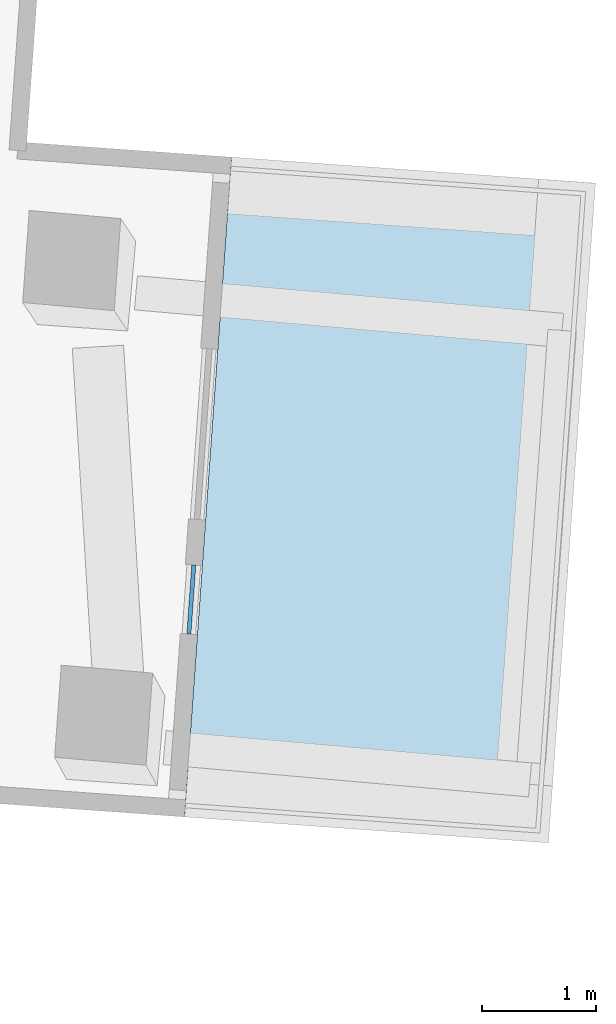
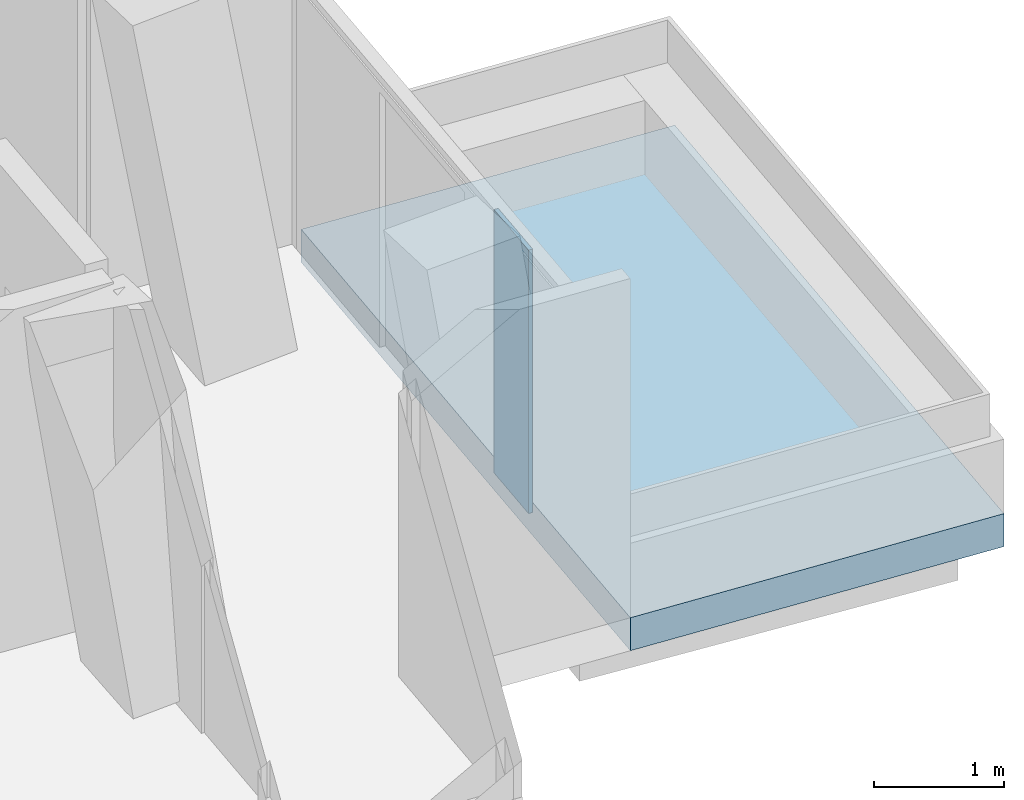
# One storey, part 12 of 22: 1 plate, 1 slab, 1 element without a shape of its own.
"""IFC4 building model written with IfcOpenShell, lengths in metres."""

from ifc_helpers import new_model, si_unit, direction, frame, origin, origin_2d, place, context, subcontext, project, spatial, polyline, rectangle, outline, extrude, material, layer, layer_set, type_object, element, aggregate, save


model = new_model("IFC4")

# Units and contexts
model_context = context("Model", 3, precision=1e-05, world=origin(), true_north=direction((0.0, 1.0)))
body_context = subcontext(model_context, "Body", "Model", "MODEL_VIEW")
ifc_project = project(units=[si_unit("LENGTHUNIT", "METRE"), si_unit("AREAUNIT", "SQUARE_METRE"), si_unit("VOLUMEUNIT", "CUBIC_METRE"), si_unit("PLANEANGLEUNIT", "RADIAN"), si_unit("MASSUNIT", "GRAM", prefix="KILO")], contexts=[model_context])

# Site, building, storey
site_placement = place(None, origin())
site = spatial("IfcSite", under=ifc_project, at=site_placement, CompositionType="ELEMENT")
building_placement = place(site_placement, origin())
building = spatial("IfcBuilding", under=site, at=building_placement, Name="Verdalira Terraces Hotel", CompositionType="ELEMENT")
storey_placement = place(building_placement, frame((0.0, 0.0, 140.0)))
storey = spatial("IfcBuildingStorey", under=building, at=storey_placement, Name="L33", CompositionType="ELEMENT", Elevation=140.0)

# Slab
ifc_material_1 = material(Name="Precast concrete C40/50", Category="concrete")
ifc_layer_1 = layer(ifc_material_1, 0.31005859375)
ifc_layer_set_1 = layer_set([ifc_layer_1], Name="Balcony deck 310")
slab_type = type_object("IfcSlabType", Name="Balcony deck 310", PredefinedType="FLOOR", material=ifc_layer_set_1)
slab_placement = place(storey_placement, frame((0.0, 0.0, -0.310059)))
element("IfcSlab", 1, at=slab_placement, inside=storey, type_object=slab_type, Name="Balcony deck", PredefinedType="FLOOR", context=body_context, shape_type="SweptSolid", body=[
    extrude(outline(polyline([(37.216064, 0.252686), (34.02417, 0.480469), (33.611572, -5.304932), (36.803467, -5.532471), (37.216064, 0.252686)])), origin(), (0.0, 0.0, 1.0), 0.310059),
])

# Curtain wall, plate
ifc_material_2 = material(Name="Clear glass", Category="glass")
ifc_layer_2 = layer(ifc_material_2, 0.14990234375)
ifc_layer_set_2 = layer_set([ifc_layer_2], Name="CW3 curtain wall")
curtain_wall_type = type_object("IfcCurtainWallType", Name="CW3 curtain wall", PredefinedType="NOTDEFINED", material=ifc_layer_set_2)
curtain_wall_placement = place(storey_placement, origin())
curtain_wall = element("IfcCurtainWall", 2, at=curtain_wall_placement, inside=storey, type_object=curtain_wall_type, Name="CW3 curtain wall L33 edge 33", PredefinedType="NOTDEFINED")
ifc_material_3 = material(Name="Clear glass", Category="glass")
ifc_layer_3 = layer(ifc_material_3, 0.035888671875)
ifc_layer_set_3 = layer_set([ifc_layer_3], Name="CW3 glass unit 36")
plate_type = type_object("IfcPlateType", Name="CW3 glass unit 36", PredefinedType="CURTAIN_PANEL", material=ifc_layer_set_3)
plate_placement = place(storey_placement, frame((33.672363, -3.398193, 0.0), z_axis=(0.0, 0.0, 1.0), x_axis=(0.071149267, 0.997465679, 0.0)))
plate = element("IfcPlate", 3, at=plate_placement, type_object=plate_type, Name="CW3 glass unit", PredefinedType="CURTAIN_PANEL", context=body_context, shape_type="SweptSolid", body=[
    extrude(rectangle(XDim=0.607666, YDim=0.035889, at=origin_2d()), origin(), (0.0, 0.0, 1.0), 2.475098),
])
aggregate(curtain_wall, [plate])

save(model, "model.ifc")
